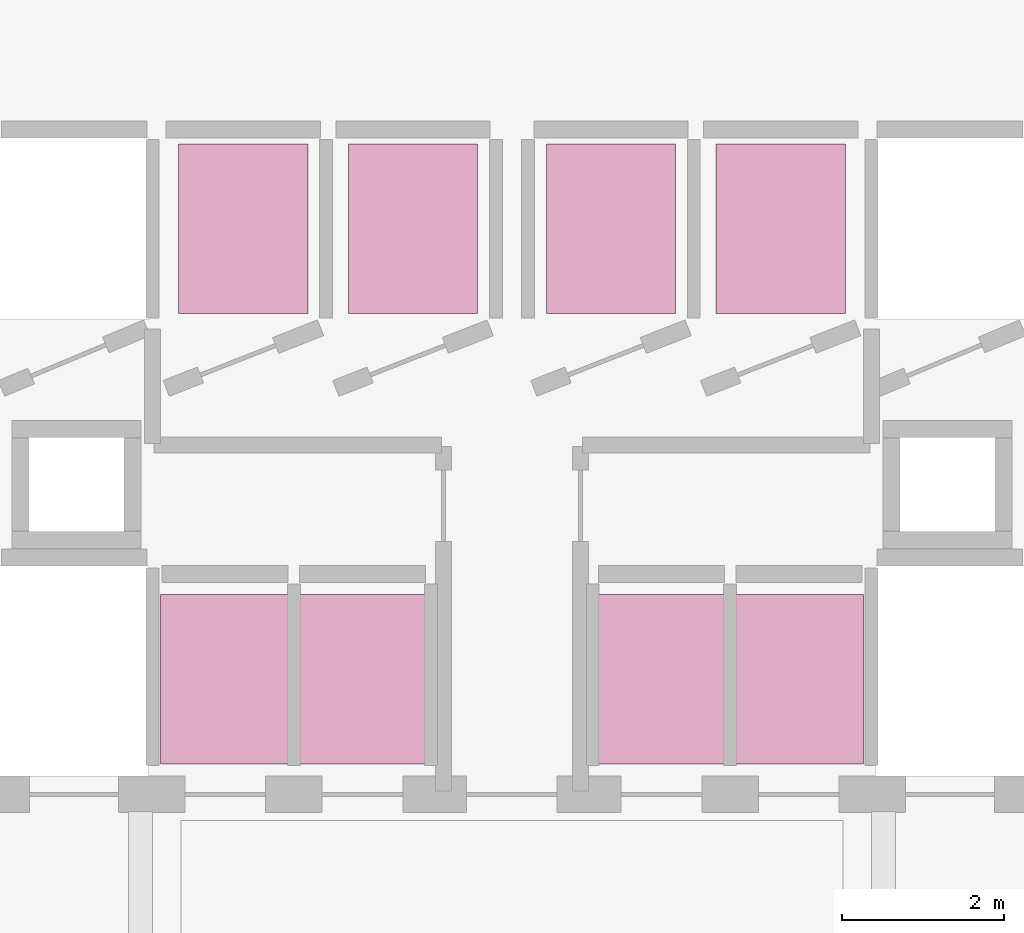
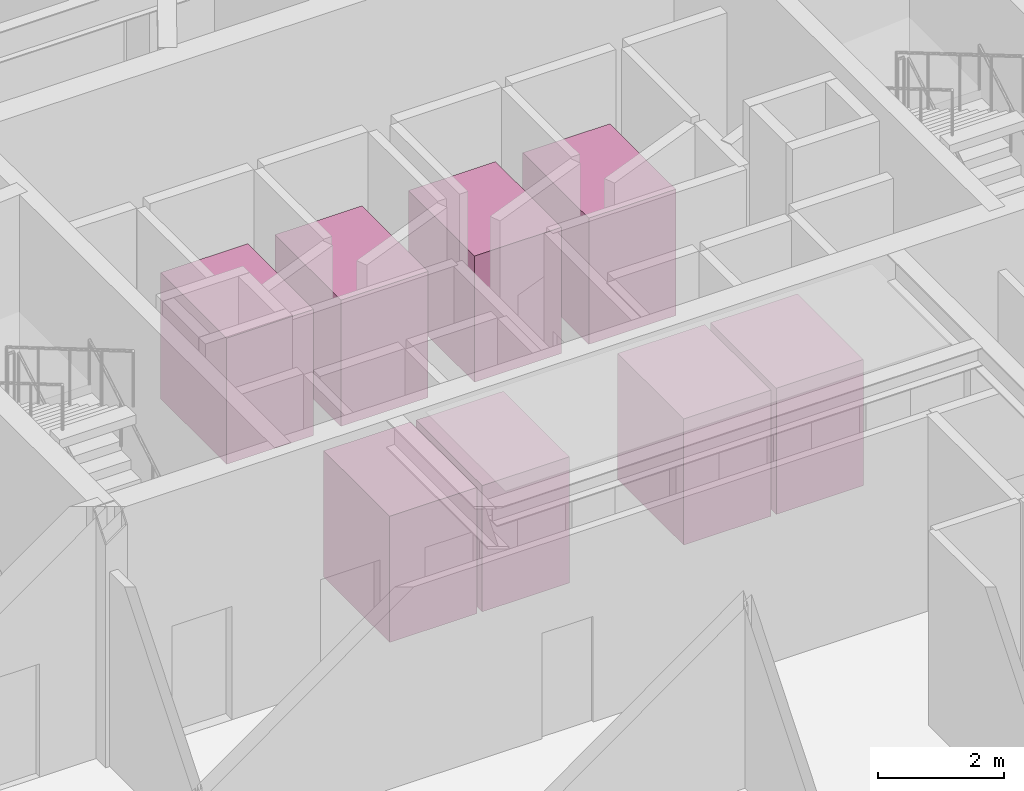
# One storey, part 31 of 31: 8 transport elements.
"""IFC4 building model written with IfcOpenShell, lengths in metres."""

from ifc_helpers import new_model, si_unit, direction, frame, origin, origin_2d, place, context, subcontext, project, spatial, rectangle, extrude, material, type_object, element, save


model = new_model("IFC4")

# Units and contexts
model_context = context("Model", 3, precision=1e-05, world=origin(), true_north=direction((0.0, 1.0)))
body_context = subcontext(model_context, "Body", "Model", "MODEL_VIEW")
ifc_project = project(units=[si_unit("LENGTHUNIT", "METRE"), si_unit("AREAUNIT", "SQUARE_METRE"), si_unit("VOLUMEUNIT", "CUBIC_METRE"), si_unit("PLANEANGLEUNIT", "RADIAN"), si_unit("MASSUNIT", "GRAM", prefix="KILO")], contexts=[model_context])

# Site, building, storey
site_placement = place(None, origin())
site = spatial("IfcSite", under=ifc_project, at=site_placement, CompositionType="ELEMENT")
building_placement = place(site_placement, origin())
building = spatial("IfcBuilding", under=site, at=building_placement, Name="Zarrinselat Tower", CompositionType="ELEMENT")
storey_placement = place(building_placement, origin())
storey = spatial("IfcBuildingStorey", under=building, at=storey_placement, Name="L00", CompositionType="ELEMENT", Elevation=0.0)

# Transport elements
ifc_material = material(Name="Steel S355J2", Category="steel")
transport_element_type = type_object("IfcTransportElementType", Name="LFT-CAR-PS1600", PredefinedType="ELEVATOR", material=ifc_material)
for number, where, z_axis, x_axis, name in (
    (1, (35.074951171875, 40.22509765625, 0.0), (0.0, 0.0, 1.0), (1.0, 0.0, 0.0), "Low-Rise Passenger Lift PL1"),
    (2, (37.175048828125, 40.22509765625, 0.0), (0.0, 0.0, 1.0), (1.0, 0.0, 0.0), "Low-Rise Passenger Lift PL2"),
    (3, (39.625, 40.22509765625, 0.0), (0.0, 0.0, 1.0), (1.0, 0.0, 0.0), "Low-Rise Passenger Lift PL3"),
    (4, (41.72509765625, 40.22509765625, 0.0), (0.0, 0.0, 1.0), (1.0, 0.0, 0.0), "Low-Rise Passenger Lift PL4"),
    (5, (34.85009765625, 34.64990234375, 0.0), (0.0, 0.0, 1.0), (1.0, 0.0, 0.0), "Mid-Rise Passenger Lift PL5"),
    (6, (36.550048828125, 34.64990234375, 0.0), (0.0, 0.0, 1.0), (1.0, 0.0, 0.0), "Mid-Rise Passenger Lift PL6"),
    (7, (40.25, 34.64990234375, 0.0), (0.0, 0.0, 1.0), (1.0, 0.0, 0.0), "High-Rise Passenger Lift PL8"),
    (8, (41.949951171875, 34.64990234375, 0.0), (0.0, 0.0, 1.0), (1.0, 0.0, 0.0), "High-Rise Passenger Lift PL9"),
):
    element("IfcTransportElement", number, at=place(storey_placement, frame(where, z_axis=z_axis, x_axis=x_axis)), inside=storey, type_object=transport_element_type, Name=name, PredefinedType="ELEVATOR", context=body_context, shape_type="SweptSolid", body=[
        extrude(rectangle(XDim=1.60009765625, YDim=2.10009765625, at=origin_2d()), origin(), (0.0, 0.0, 1.0), 2.449951171875),
    ])

save(model, "model.ifc")
